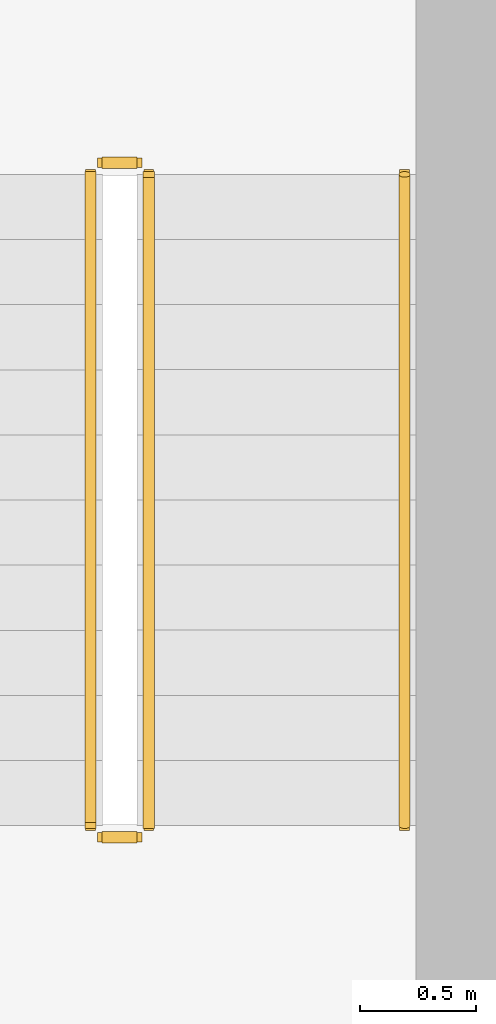
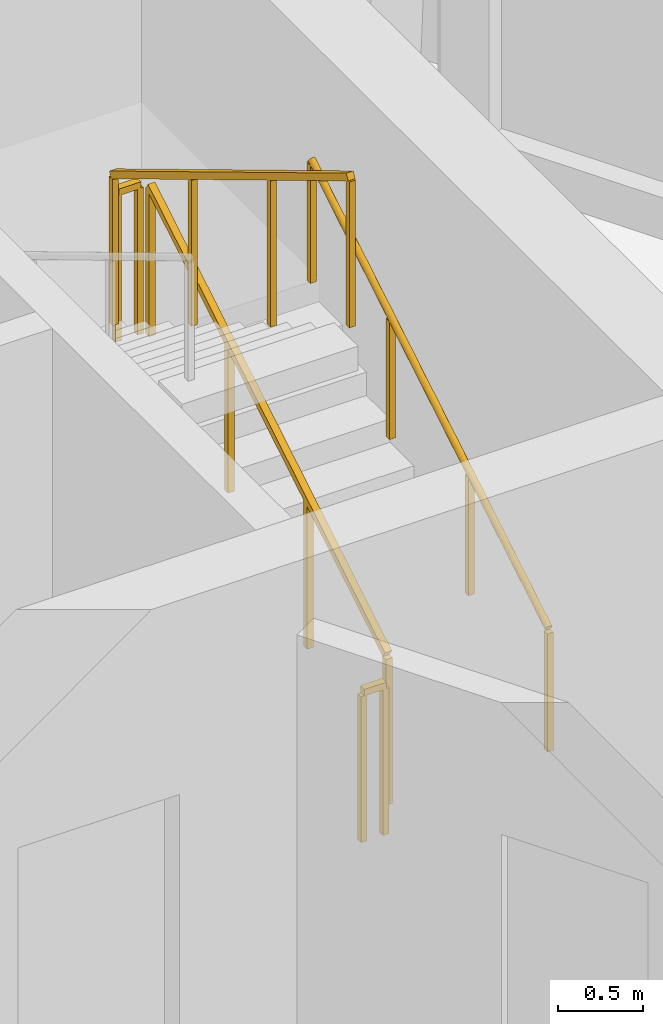
# One storey, part 13 of 13: 5 railings.
"""IFC4 building model written with IfcOpenShell, lengths in metres."""

from ifc_helpers import new_model, si_unit, direction, frame, origin, origin_2d, place, context, subcontext, project, spatial, rectangle, circle, extrude, material, type_object, element, save


model = new_model("IFC4")

# Units and contexts
model_context = context("Model", 3, precision=1e-05, world=origin(), true_north=direction((0.0, 1.0)))
body_context = subcontext(model_context, "Body", "Model", "MODEL_VIEW")
ifc_project = project(units=[si_unit("LENGTHUNIT", "METRE"), si_unit("AREAUNIT", "SQUARE_METRE"), si_unit("VOLUMEUNIT", "CUBIC_METRE"), si_unit("PLANEANGLEUNIT", "RADIAN"), si_unit("MASSUNIT", "GRAM", prefix="KILO")], contexts=[model_context])

# Site, building, storey
site_placement = place(None, origin())
site = spatial("IfcSite", under=ifc_project, at=site_placement, CompositionType="ELEMENT")
building_placement = place(site_placement, origin())
building = spatial("IfcBuilding", under=site, at=building_placement, Name="Apuvela Tower Hotel", CompositionType="ELEMENT")
storey_placement = place(building_placement, frame((0.0, 0.0, 287.39990234375)))
storey = spatial("IfcBuildingStorey", under=building, at=storey_placement, Name="L71", CompositionType="ELEMENT", Elevation=287.39990234375)

# Railings
ifc_material_1 = material(Name="Steel S275 balustrade", Category="steel")
railing_type_1 = type_object("IfcRailingType", Name="COR-GUARD-1100", PredefinedType="GUARDRAIL", material=ifc_material_1)
railing_1_placement = place(storey_placement, frame((3.85009765625, 14.60009765625, 0.168212890625)))
element("IfcRailing", 1, at=railing_1_placement, inside=storey, type_object=railing_type_1, Name="L71 ST1 stair guard 1", PredefinedType="GUARDRAIL", context=body_context, shape_type="SweptSolid", body=[
    extrude(rectangle(XDim=0.048095703125, YDim=0.048095703125, at=origin_2d()), frame((0.0, 0.0, 1.076171875), z_axis=(0.0, 0.857222391501, 0.514946377315), x_axis=(-1.0, 0.0, 0.0)), (0.0, 0.0, 1.0), 3.26611328125),
    extrude(rectangle(XDim=0.0419921875, YDim=0.0419921875, at=origin_2d()), origin(), (0.0, 0.0, 1.0), 1.052001953125),
    extrude(rectangle(XDim=0.0419921875, YDim=0.0419921875, at=origin_2d()), frame((0.0, 0.933349609375, 0.560546875)), (0.0, 0.0, 1.0), 1.052001953125),
    extrude(rectangle(XDim=0.0419921875, YDim=0.0419921875, at=origin_2d()), frame((0.0, 1.866455078125, 1.121337890625)), (0.0, 0.0, 1.0), 1.052001953125),
    extrude(rectangle(XDim=0.0419921875, YDim=0.0419921875, at=origin_2d()), frame((0.0, 2.7998046875, 1.681884765625)), (0.0, 0.0, 1.0), 1.052001953125),
])
railing_2_placement = place(storey_placement, frame((3.800048828125, 17.449951171875, 1.85009765625)))
element("IfcRailing", 2, at=railing_2_placement, inside=storey, type_object=railing_type_1, Name="L71 ST1 stair guard 2", PredefinedType="GUARDRAIL", context=body_context, shape_type="SweptSolid", body=[
    extrude(rectangle(XDim=0.048095703125, YDim=0.048095703125, at=origin_2d()), frame((0.0, 0.0, 1.076171875), z_axis=(-1.0, 0.0, 0.0), x_axis=(0.0, -1.0, 0.0)), (0.0, 0.0, 1.0), 0.150146484375),
    extrude(rectangle(XDim=0.0419921875, YDim=0.0419921875, at=origin_2d()), origin(), (0.0, 0.0, 1.0), 1.052001953125),
    extrude(rectangle(XDim=0.0419921875, YDim=0.0419921875, at=origin_2d()), frame((-0.150146484375, 0.0, 0.0)), (0.0, 0.0, 1.0), 1.052001953125),
])
railing_3_placement = place(storey_placement, frame((3.60009765625, 17.39990234375, 2.018310546875)))
element("IfcRailing", 3, at=railing_3_placement, inside=storey, type_object=railing_type_1, Name="L71 ST1 stair guard 3", PredefinedType="GUARDRAIL", context=body_context, shape_type="SweptSolid", body=[
    extrude(rectangle(XDim=0.048095703125, YDim=0.048095703125, at=origin_2d()), frame((0.0, 0.0, 1.076171875), z_axis=(0.0, -0.857222391501, 0.514946377315), x_axis=(1.0, 0.0, 0.0)), (0.0, 0.0, 1.0), 3.26611328125),
    extrude(rectangle(XDim=0.0419921875, YDim=0.0419921875, at=origin_2d()), origin(), (0.0, 0.0, 1.0), 1.052001953125),
    extrude(rectangle(XDim=0.0419921875, YDim=0.0419921875, at=origin_2d()), frame((0.0, -0.933349609375, 0.560546875)), (0.0, 0.0, 1.0), 1.052001953125),
    extrude(rectangle(XDim=0.0419921875, YDim=0.0419921875, at=origin_2d()), frame((0.0, -1.866455078125, 1.121337890625)), (0.0, 0.0, 1.0), 1.052001953125),
    extrude(rectangle(XDim=0.0419921875, YDim=0.0419921875, at=origin_2d()), frame((0.0, -2.7998046875, 1.681884765625)), (0.0, 0.0, 1.0), 1.052001953125),
])
railing_4_placement = place(storey_placement, frame((3.800048828125, 14.550048828125, 0.0)))
element("IfcRailing", 4, at=railing_4_placement, inside=storey, type_object=railing_type_1, Name="L71 ST1 stair guard 4", PredefinedType="GUARDRAIL", context=body_context, shape_type="SweptSolid", body=[
    extrude(rectangle(XDim=0.048095703125, YDim=0.048095703125, at=origin_2d()), frame((0.0, 0.0, 1.076171875), z_axis=(-1.0, 0.0, 0.0), x_axis=(0.0, -1.0, 0.0)), (0.0, 0.0, 1.0), 0.150146484375),
    extrude(rectangle(XDim=0.0419921875, YDim=0.0419921875, at=origin_2d()), origin(), (0.0, 0.0, 1.0), 1.052001953125),
    extrude(rectangle(XDim=0.0419921875, YDim=0.0419921875, at=origin_2d()), frame((-0.150146484375, 0.0, 0.0)), (0.0, 0.0, 1.0), 1.052001953125),
])
ifc_material_2 = material(Name="Stainless steel 316 handrail", Category="steel")
railing_type_2 = type_object("IfcRailingType", Name="COR-HANDRAIL-900", PredefinedType="HANDRAIL", material=ifc_material_2)
railing_5_placement = place(storey_placement, frame((4.949951171875, 14.60009765625, 0.168212890625)))
element("IfcRailing", 5, at=railing_5_placement, inside=storey, type_object=railing_type_2, Name="L71 ST1 stair handrail 1", PredefinedType="HANDRAIL", context=body_context, shape_type="SweptSolid", body=[
    extrude(circle(Radius=0.02392578125, at=origin_2d()), frame((0.0, 0.0, 0.8759765625), z_axis=(0.0, 0.857222391501, 0.514946377315), x_axis=(-1.0, 0.0, 0.0)), (0.0, 0.0, 1.0), 3.26611328125),
    extrude(rectangle(XDim=0.0419921875, YDim=0.0419921875, at=origin_2d()), origin(), (0.0, 0.0, 1.0), 0.851806640625),
    extrude(rectangle(XDim=0.0419921875, YDim=0.0419921875, at=origin_2d()), frame((0.0, 0.933349609375, 0.560546875)), (0.0, 0.0, 1.0), 0.851806640625),
    extrude(rectangle(XDim=0.0419921875, YDim=0.0419921875, at=origin_2d()), frame((0.0, 1.866455078125, 1.121337890625)), (0.0, 0.0, 1.0), 0.851806640625),
    extrude(rectangle(XDim=0.0419921875, YDim=0.0419921875, at=origin_2d()), frame((0.0, 2.7998046875, 1.681884765625)), (0.0, 0.0, 1.0), 0.851806640625),
])

save(model, "model.ifc")
